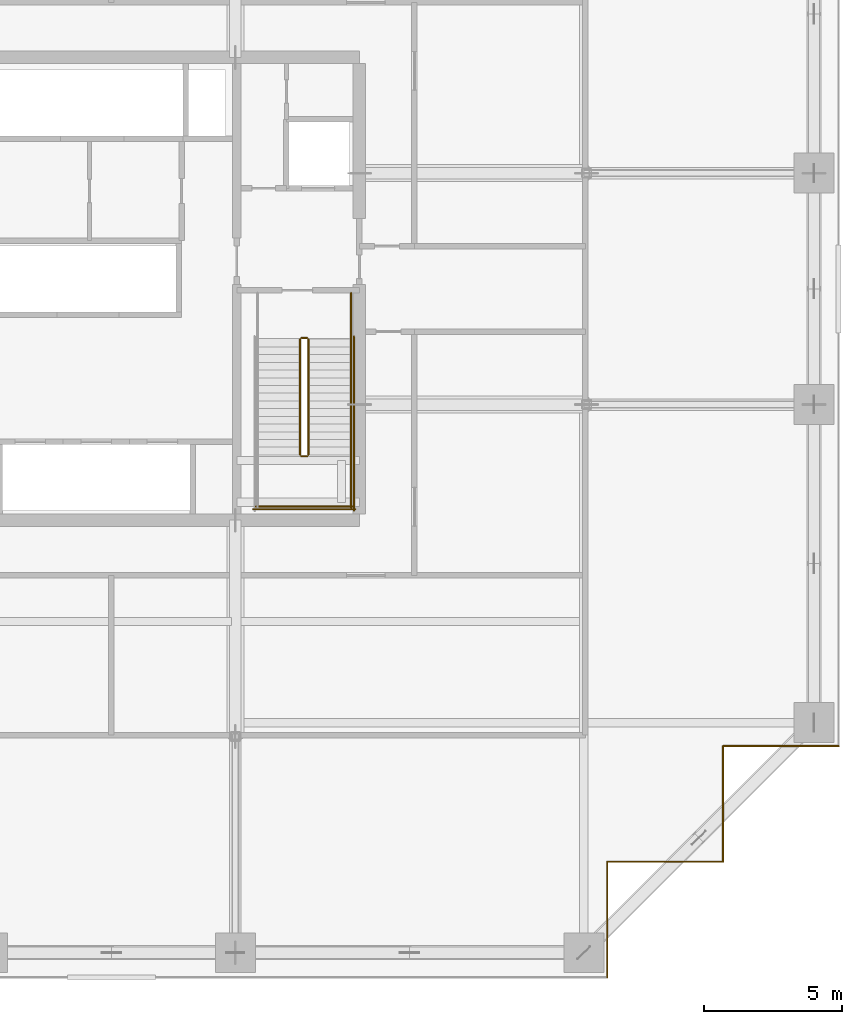
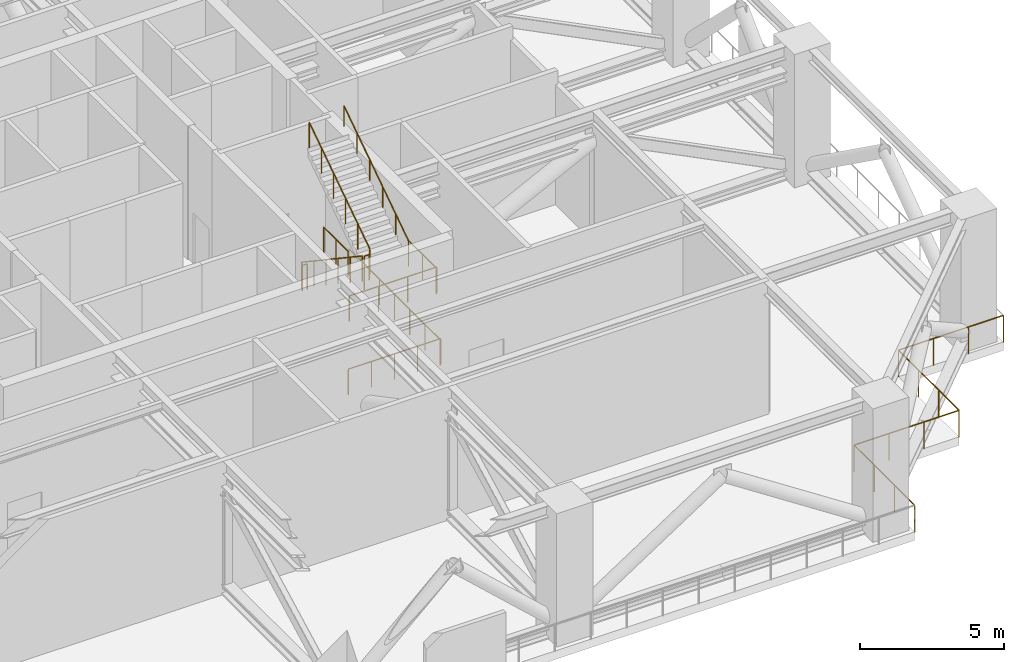
# One storey, part 20 of 21: 14 railings.
"""IFC4 building model written with IfcOpenShell, lengths in metres."""

from ifc_helpers import new_model, si_unit, direction, frame, origin, origin_2d, place, context, subcontext, project, spatial, circle, extrude, material, type_object, element, save


model = new_model("IFC4")

# Units and contexts
model_context = context("Model", 3, precision=1e-05, world=origin(), true_north=direction((0.0, 1.0)))
body_context = subcontext(model_context, "Body", "Model", "MODEL_VIEW")
ifc_project = project(units=[si_unit("LENGTHUNIT", "METRE"), si_unit("AREAUNIT", "SQUARE_METRE"), si_unit("VOLUMEUNIT", "CUBIC_METRE"), si_unit("PLANEANGLEUNIT", "RADIAN"), si_unit("MASSUNIT", "GRAM", prefix="KILO")], contexts=[model_context])

# Site, building, storey
site_placement = place(None, origin())
site = spatial("IfcSite", under=ifc_project, at=site_placement, CompositionType="ELEMENT")
building_placement = place(site_placement, origin())
building = spatial("IfcBuilding", under=site, at=building_placement, Name="Serunith Strait Residences", CompositionType="ELEMENT")
storey_placement = place(building_placement, frame((0.0, 0.0, 109.199951171875)))
storey = spatial("IfcBuildingStorey", under=building, at=storey_placement, Name="L27", CompositionType="ELEMENT", Elevation=109.199951171875)

# Railings
ifc_material_1 = material(Name="Brushed stainless steel 316L", Category="steel")
railing_type_1 = type_object("IfcRailingType", Name="RLG-STAIR-GUARD", PredefinedType="BALUSTRADE", material=ifc_material_1)
railing_1_placement = place(storey_placement, frame((39.25, 23.3701171875, 0.1875)))
element("IfcRailing", 1, at=railing_1_placement, inside=storey, type_object=railing_type_1, Name="L27 ST-2 stair guard 1", PredefinedType="BALUSTRADE", context=body_context, shape_type="SweptSolid", body=[
    extrude(circle(Radius=0.02392578125, at=origin_2d()), frame((0.0, -0.001708984375, 1.0771484375), z_axis=(0.0, -0.830919138977, 0.55639319234), x_axis=(1.0, 0.0, 0.0)), (0.0, 0.0, 1.0), 5.05078125),
    extrude(circle(Radius=0.02099609375, at=origin_2d()), origin(), (0.0, 0.0, 1.0), 1.050048828125),
    extrude(circle(Radius=0.02099609375, at=origin_2d()), frame((0.0, -0.840087890625, 0.5625)), (0.0, 0.0, 1.0), 1.050048828125),
    extrude(circle(Radius=0.02099609375, at=origin_2d()), frame((0.0, -1.68017578125, 1.125)), (0.0, 0.0, 1.0), 1.050048828125),
    extrude(circle(Radius=0.02099609375, at=origin_2d()), frame((0.0, -2.52001953125, 1.6875)), (0.0, 0.0, 1.0), 1.050048828125),
    extrude(circle(Radius=0.02099609375, at=origin_2d()), frame((0.0, -3.360107421875, 2.25)), (0.0, 0.0, 1.0), 1.050048828125),
    extrude(circle(Radius=0.02099609375, at=origin_2d()), frame((0.0, -4.2001953125, 2.8125)), (0.0, 0.0, 1.0), 1.050048828125),
])
railing_2_placement = place(storey_placement, frame((39.300048828125, 19.1201171875, 3.0)))
element("IfcRailing", 2, at=railing_2_placement, inside=storey, type_object=railing_type_1, Name="L27 ST-2 stair guard 2", PredefinedType="BALUSTRADE", context=body_context, shape_type="SweptSolid", body=[
    extrude(circle(Radius=0.02392578125, at=origin_2d()), frame((0.001953125, 0.0, 1.076171875), z_axis=(1.0, 0.0, 0.0), x_axis=(0.0, 1.0, 0.0)), (0.0, 0.0, 1.0), 0.196044921875),
    extrude(circle(Radius=0.02099609375, at=origin_2d()), origin(), (0.0, 0.0, 1.0), 1.050048828125),
    extrude(circle(Radius=0.02099609375, at=origin_2d()), frame((0.199951171875, 0.0, 0.0)), (0.0, 0.0, 1.0), 1.050048828125),
])
railing_3_placement = place(storey_placement, frame((41.10009765625, 19.169921875, 3.0)))
element("IfcRailing", 3, at=railing_3_placement, inside=storey, type_object=railing_type_1, Name="L27 ST-2 stair guard 4", PredefinedType="BALUSTRADE", context=body_context, shape_type="SweptSolid", body=[
    extrude(circle(Radius=0.02392578125, at=origin_2d()), frame((0.0, -0.001953125, 1.076171875), z_axis=(0.0, -1.0, 0.0), x_axis=(1.0, 0.0, 0.0)), (0.0, 0.0, 1.0), 1.916015625),
    extrude(circle(Radius=0.02099609375, at=origin_2d()), origin(), (0.0, 0.0, 1.0), 1.050048828125),
    extrude(circle(Radius=0.02099609375, at=origin_2d()), frame((0.0, -0.9599609375, 0.0)), (0.0, 0.0, 1.0), 1.050048828125),
    extrude(circle(Radius=0.02099609375, at=origin_2d()), frame((0.0, -1.919921875, 0.0)), (0.0, 0.0, 1.0), 1.050048828125),
])
railing_4_placement = place(storey_placement, frame((37.64990234375, 17.300048828125, 3.0)))
element("IfcRailing", 4, at=railing_4_placement, inside=storey, type_object=railing_type_1, Name="L27 ST-2 stair guard 5", PredefinedType="BALUSTRADE", context=body_context, shape_type="SweptSolid", body=[
    extrude(circle(Radius=0.02392578125, at=origin_2d()), frame((0.001953125, 0.0, 1.076171875), z_axis=(1.0, 0.0, 0.0), x_axis=(0.0, 1.0, 0.0)), (0.0, 0.0, 1.0), 3.49609375),
    extrude(circle(Radius=0.02099609375, at=origin_2d()), origin(), (0.0, 0.0, 1.0), 1.050048828125),
    extrude(circle(Radius=0.02099609375, at=origin_2d()), frame((1.166748046875, 0.0, 0.0)), (0.0, 0.0, 1.0), 1.050048828125),
    extrude(circle(Radius=0.02099609375, at=origin_2d()), frame((2.333251953125, 0.0, 0.0)), (0.0, 0.0, 1.0), 1.050048828125),
    extrude(circle(Radius=0.02099609375, at=origin_2d()), frame((3.5, 0.0, 0.0)), (0.0, 0.0, 1.0), 1.050048828125),
])
railing_5_placement = place(storey_placement, frame((39.550048828125, 19.169921875, 3.1875)))
element("IfcRailing", 5, at=railing_5_placement, inside=storey, type_object=railing_type_1, Name="L27 ST-2 stair guard 6", PredefinedType="BALUSTRADE", context=body_context, shape_type="SweptSolid", body=[
    extrude(circle(Radius=0.02392578125, at=origin_2d()), frame((0.0, 0.001708984375, 1.0771484375), z_axis=(0.0, 0.830919138977, 0.55639319234), x_axis=(-1.0, 0.0, 0.0)), (0.0, 0.0, 1.0), 5.05078125),
    extrude(circle(Radius=0.02099609375, at=origin_2d()), origin(), (0.0, 0.0, 1.0), 1.050048828125),
    extrude(circle(Radius=0.02099609375, at=origin_2d()), frame((0.0, 0.840087890625, 0.5625)), (0.0, 0.0, 1.0), 1.050048828125),
    extrude(circle(Radius=0.02099609375, at=origin_2d()), frame((0.0, 1.68017578125, 1.125)), (0.0, 0.0, 1.0), 1.050048828125),
    extrude(circle(Radius=0.02099609375, at=origin_2d()), frame((0.0, 2.52001953125, 1.6875)), (0.0, 0.0, 1.0), 1.050048828125),
    extrude(circle(Radius=0.02099609375, at=origin_2d()), frame((0.0, 3.360107421875, 2.25)), (0.0, 0.0, 1.0), 1.050048828125),
    extrude(circle(Radius=0.02099609375, at=origin_2d()), frame((0.0, 4.2001953125, 2.8125)), (0.0, 0.0, 1.0), 1.050048828125),
])
railing_6_placement = place(storey_placement, frame((39.300048828125, 23.419921875, 0.0)))
element("IfcRailing", 6, at=railing_6_placement, inside=storey, type_object=railing_type_1, Name="L27 ST-2 stair guard 7", PredefinedType="BALUSTRADE", context=body_context, shape_type="SweptSolid", body=[
    extrude(circle(Radius=0.02392578125, at=origin_2d()), frame((0.001953125, 0.0, 1.076171875), z_axis=(1.0, 0.0, 0.0), x_axis=(0.0, 1.0, 0.0)), (0.0, 0.0, 1.0), 0.196044921875),
    extrude(circle(Radius=0.02099609375, at=origin_2d()), origin(), (0.0, 0.0, 1.0), 1.050048828125),
    extrude(circle(Radius=0.02099609375, at=origin_2d()), frame((0.199951171875, 0.0, 0.0)), (0.0, 0.0, 1.0), 1.050048828125),
])
railing_7_placement = place(storey_placement, frame((41.10009765625, 25.050048828125, 0.0)))
element("IfcRailing", 7, at=railing_7_placement, inside=storey, type_object=railing_type_1, Name="L27 ST-2 stair guard 9", PredefinedType="BALUSTRADE", context=body_context, shape_type="SweptSolid", body=[
    extrude(circle(Radius=0.02392578125, at=origin_2d()), frame((0.0, -0.001953125, 1.076171875), z_axis=(0.0, -1.0, 0.0), x_axis=(1.0, 0.0, 0.0)), (0.0, 0.0, 1.0), 1.676025390625),
    extrude(circle(Radius=0.02099609375, at=origin_2d()), origin(), (0.0, 0.0, 1.0), 1.050048828125),
    extrude(circle(Radius=0.02099609375, at=origin_2d()), frame((0.0, -0.83984375, 0.0)), (0.0, 0.0, 1.0), 1.050048828125),
    extrude(circle(Radius=0.02099609375, at=origin_2d()), frame((0.0, -1.679931640625, 0.0)), (0.0, 0.0, 1.0), 1.050048828125),
])
railing_8_placement = place(storey_placement, frame((41.199951171875, 23.469970703125, 0.0)))
element("IfcRailing", 8, at=railing_8_placement, inside=storey, type_object=railing_type_1, Name="L27 ST-2 stair guard 11", PredefinedType="BALUSTRADE", context=body_context, shape_type="SweptSolid", body=[
    extrude(circle(Radius=0.02392578125, at=origin_2d()), frame((0.0, -0.001953125, 1.076171875), z_axis=(0.0, -1.0, 0.0), x_axis=(1.0, 0.0, 0.0)), (0.0, 0.0, 1.0), 6.316162109375),
    extrude(circle(Radius=0.02099609375, at=origin_2d()), origin(), (0.0, 0.0, 1.0), 1.050048828125),
    extrude(circle(Radius=0.02099609375, at=origin_2d()), frame((0.0, -1.05322265625, 0.0)), (0.0, 0.0, 1.0), 1.050048828125),
    extrude(circle(Radius=0.02099609375, at=origin_2d()), frame((0.0, -2.106689453125, 0.0)), (0.0, 0.0, 1.0), 1.050048828125),
    extrude(circle(Radius=0.02099609375, at=origin_2d()), frame((0.0, -3.16015625, 0.0)), (0.0, 0.0, 1.0), 1.050048828125),
    extrude(circle(Radius=0.02099609375, at=origin_2d()), frame((0.0, -4.21337890625, 0.0)), (0.0, 0.0, 1.0), 1.050048828125),
    extrude(circle(Radius=0.02099609375, at=origin_2d()), frame((0.0, -5.2666015625, 0.0)), (0.0, 0.0, 1.0), 1.050048828125),
    extrude(circle(Radius=0.02099609375, at=origin_2d()), frame((0.0, -6.320068359375, 0.0)), (0.0, 0.0, 1.0), 1.050048828125),
])
railing_9_placement = place(storey_placement, frame((37.550048828125, 17.199951171875, 0.0)))
element("IfcRailing", 9, at=railing_9_placement, inside=storey, type_object=railing_type_1, Name="L27 ST-2 stair guard 12", PredefinedType="BALUSTRADE", context=body_context, shape_type="SweptSolid", body=[
    extrude(circle(Radius=0.02392578125, at=origin_2d()), frame((0.001953125, 0.0, 1.076171875), z_axis=(1.0, 0.0, 0.0), x_axis=(0.0, 1.0, 0.0)), (0.0, 0.0, 1.0), 3.696044921875),
    extrude(circle(Radius=0.02099609375, at=origin_2d()), origin(), (0.0, 0.0, 1.0), 1.050048828125),
    extrude(circle(Radius=0.02099609375, at=origin_2d()), frame((0.925048828125, 0.0, 0.0)), (0.0, 0.0, 1.0), 1.050048828125),
    extrude(circle(Radius=0.02099609375, at=origin_2d()), frame((1.85009765625, 0.0, 0.0)), (0.0, 0.0, 1.0), 1.050048828125),
    extrude(circle(Radius=0.02099609375, at=origin_2d()), frame((2.77490234375, 0.0, 0.0)), (0.0, 0.0, 1.0), 1.050048828125),
    extrude(circle(Radius=0.02099609375, at=origin_2d()), frame((3.699951171875, 0.0, 0.0)), (0.0, 0.0, 1.0), 1.050048828125),
])
railing_type_2 = type_object("IfcRailingType", Name="RLG-STAIR-HR", PredefinedType="HANDRAIL", material=ifc_material_1)
railing_10_placement = place(storey_placement, frame((41.10009765625, 19.169921875, 3.1875)))
element("IfcRailing", 10, at=railing_10_placement, inside=storey, type_object=railing_type_2, Name="L27 ST-2 stair handrail 2", PredefinedType="HANDRAIL", context=body_context, shape_type="SweptSolid", body=[
    extrude(circle(Radius=0.02392578125, at=origin_2d()), frame((0.0, 0.001708984375, 0.876953125), z_axis=(0.0, 0.830466402242, 0.55706871636), x_axis=(-1.0, 0.0, 0.0)), (0.0, 0.0, 1.0), 5.390625),
    extrude(circle(Radius=0.02099609375, at=origin_2d()), origin(), (0.0, 0.0, 1.0), 0.849853515625),
    extrude(circle(Radius=0.02099609375, at=origin_2d()), frame((0.0, 0.89599609375, 0.60107421875)), (0.0, 0.0, 1.0), 0.849853515625),
    extrude(circle(Radius=0.02099609375, at=origin_2d()), frame((0.0, 1.7919921875, 1.2021484375)), (0.0, 0.0, 1.0), 0.849853515625),
    extrude(circle(Radius=0.02099609375, at=origin_2d()), frame((0.0, 2.68798828125, 1.802978515625)), (0.0, 0.0, 1.0), 0.849853515625),
    extrude(circle(Radius=0.02099609375, at=origin_2d()), frame((0.0, 3.583984375, 2.404052734375)), (0.0, 0.0, 1.0), 0.849853515625),
    extrude(circle(Radius=0.02099609375, at=origin_2d()), frame((0.0, 4.47998046875, 3.005126953125)), (0.0, 0.0, 1.0), 0.849853515625),
])
ifc_material_2 = material(Name="Anodised Aluminium Wind-Floor Safety Guard", Category="aluminium")
railing_type_3 = type_object("IfcRailingType", Name="RLG-WIND-1150", PredefinedType="BALUSTRADE", material=ifc_material_2)
railing_11_placement = place(storey_placement, frame((50.39990234375, 0.199951171875, 0.0)))
element("IfcRailing", 11, at=railing_11_placement, inside=storey, type_object=railing_type_3, Name="L27 Porous Wind-Floor Safety Balustrade 02", PredefinedType="BALUSTRADE", context=body_context, shape_type="SweptSolid", body=[
    extrude(circle(Radius=0.02392578125, at=origin_2d()), frame((0.0, 0.001953125, 1.1259765625), z_axis=(0.0, 1.0, 0.0), x_axis=(-1.0, 0.0, 0.0)), (0.0, 0.0, 1.0), 4.196044921875),
    extrude(circle(Radius=0.02099609375, at=origin_2d()), origin(), (0.0, 0.0, 1.0), 1.099853515625),
    extrude(circle(Radius=0.02099609375, at=origin_2d()), frame((0.0, 1.39990234375, 0.0)), (0.0, 0.0, 1.0), 1.099853515625),
    extrude(circle(Radius=0.02099609375, at=origin_2d()), frame((0.0, 2.800048828125, 0.0)), (0.0, 0.0, 1.0), 1.099853515625),
    extrude(circle(Radius=0.02099609375, at=origin_2d()), frame((0.0, 4.199951171875, 0.0)), (0.0, 0.0, 1.0), 1.099853515625),
])
railing_12_placement = place(storey_placement, frame((50.39990234375, 4.39990234375, 0.0)))
element("IfcRailing", 12, at=railing_12_placement, inside=storey, type_object=railing_type_3, Name="L27 Porous Wind-Floor Safety Balustrade 03", PredefinedType="BALUSTRADE", context=body_context, shape_type="SweptSolid", body=[
    extrude(circle(Radius=0.02392578125, at=origin_2d()), frame((0.001953125, 0.0, 1.1259765625), z_axis=(1.0, 0.0, 0.0), x_axis=(0.0, 1.0, 0.0)), (0.0, 0.0, 1.0), 4.1962890625),
    extrude(circle(Radius=0.02099609375, at=origin_2d()), origin(), (0.0, 0.0, 1.0), 1.099853515625),
    extrude(circle(Radius=0.02099609375, at=origin_2d()), frame((1.400146484375, 0.0, 0.0)), (0.0, 0.0, 1.0), 1.099853515625),
    extrude(circle(Radius=0.02099609375, at=origin_2d()), frame((2.800048828125, 0.0, 0.0)), (0.0, 0.0, 1.0), 1.099853515625),
    extrude(circle(Radius=0.02099609375, at=origin_2d()), frame((4.2001953125, 0.0, 0.0)), (0.0, 0.0, 1.0), 1.099853515625),
])
railing_13_placement = place(storey_placement, frame((54.60009765625, 4.39990234375, 0.0)))
element("IfcRailing", 13, at=railing_13_placement, inside=storey, type_object=railing_type_3, Name="L27 Porous Wind-Floor Safety Balustrade 04", PredefinedType="BALUSTRADE", context=body_context, shape_type="SweptSolid", body=[
    extrude(circle(Radius=0.02392578125, at=origin_2d()), frame((0.0, 0.001953125, 1.1259765625), z_axis=(0.0, 1.0, 0.0), x_axis=(-1.0, 0.0, 0.0)), (0.0, 0.0, 1.0), 4.1962890625),
    extrude(circle(Radius=0.02099609375, at=origin_2d()), origin(), (0.0, 0.0, 1.0), 1.099853515625),
    extrude(circle(Radius=0.02099609375, at=origin_2d()), frame((0.0, 1.400146484375, 0.0)), (0.0, 0.0, 1.0), 1.099853515625),
    extrude(circle(Radius=0.02099609375, at=origin_2d()), frame((0.0, 2.800048828125, 0.0)), (0.0, 0.0, 1.0), 1.099853515625),
    extrude(circle(Radius=0.02099609375, at=origin_2d()), frame((0.0, 4.2001953125, 0.0)), (0.0, 0.0, 1.0), 1.099853515625),
])
railing_14_placement = place(storey_placement, frame((54.60009765625, 8.60009765625, 0.0)))
element("IfcRailing", 14, at=railing_14_placement, inside=storey, type_object=railing_type_3, Name="L27 Porous Wind-Floor Safety Balustrade 05", PredefinedType="BALUSTRADE", context=body_context, shape_type="SweptSolid", body=[
    extrude(circle(Radius=0.02392578125, at=origin_2d()), frame((0.001953125, 0.0, 1.1259765625), z_axis=(1.0, 0.0, 0.0), x_axis=(0.0, 1.0, 0.0)), (0.0, 0.0, 1.0), 4.196044921875),
    extrude(circle(Radius=0.02099609375, at=origin_2d()), origin(), (0.0, 0.0, 1.0), 1.099853515625),
    extrude(circle(Radius=0.02099609375, at=origin_2d()), frame((1.39990234375, 0.0, 0.0)), (0.0, 0.0, 1.0), 1.099853515625),
    extrude(circle(Radius=0.02099609375, at=origin_2d()), frame((2.800048828125, 0.0, 0.0)), (0.0, 0.0, 1.0), 1.099853515625),
    extrude(circle(Radius=0.02099609375, at=origin_2d()), frame((4.199951171875, 0.0, 0.0)), (0.0, 0.0, 1.0), 1.099853515625),
])

save(model, "model.ifc")
